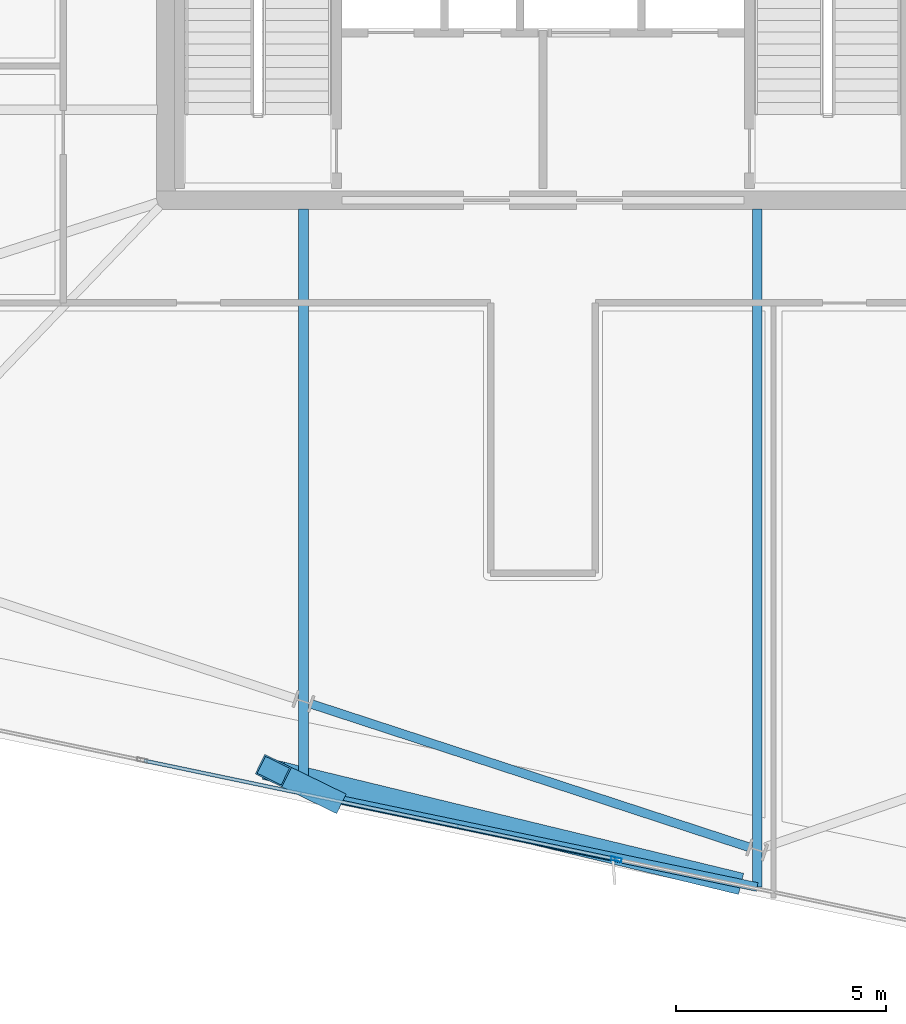
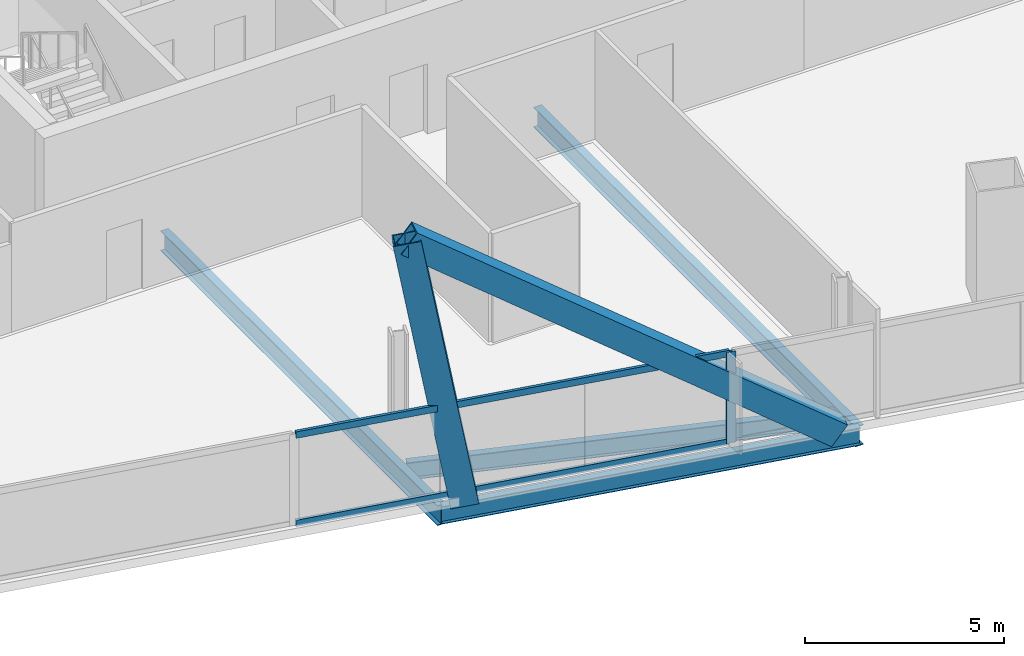
# One storey, part 3 of 24: 5 members, 4 beams, 1 element without a shape of its own.
"""IFC4 building model written with IfcOpenShell, lengths in metres."""

from ifc_helpers import new_model, si_unit, direction, frame, origin, origin_2d, place, context, subcontext, project, spatial, hollow_rectangle, i_section, extrude, material, material_profile, profile_set, type_object, element, aggregate, save


model = new_model("IFC4")

# Units and contexts
model_context = context("Model", 3, precision=1e-05, world=origin(), true_north=direction((0.0, 1.0)))
body_context = subcontext(model_context, "Body", "Model", "MODEL_VIEW")
ifc_project = project(units=[si_unit("LENGTHUNIT", "METRE"), si_unit("AREAUNIT", "SQUARE_METRE"), si_unit("VOLUMEUNIT", "CUBIC_METRE"), si_unit("PLANEANGLEUNIT", "RADIAN"), si_unit("MASSUNIT", "GRAM", prefix="KILO")], contexts=[model_context])

# Site, building, storey
site_placement = place(None, origin())
site = spatial("IfcSite", under=ifc_project, at=site_placement, CompositionType="ELEMENT")
building_placement = place(site_placement, origin())
building = spatial("IfcBuilding", under=site, at=building_placement, Name="Haldenkirk Collegiate Tower", CompositionType="ELEMENT")
storey_placement = place(building_placement, frame((0.0, 0.0, 289.949951171875)))
storey = spatial("IfcBuildingStorey", under=building, at=storey_placement, Name="L73", CompositionType="ELEMENT", Elevation=289.949951171875)

# Beams
ifc_material_1 = material(Name="Steel ASTM A992 Grade 50", Category="steel")
ifc_material_profile_1 = material_profile(ifc_material_1, i_section(OverallWidth=0.22998046875, OverallDepth=0.616943359375, WebThickness=0.01318359375, FlangeThickness=0.022216796875, at=origin_2d()), Name="W24X94")
ifc_profile_set_1 = profile_set([ifc_material_profile_1], Name="Steel ASTM A992 Grade 50")
beam_type_1 = type_object("IfcBeamType", Name="BM-GIRDER-W24X94", PredefinedType="BEAM", material=ifc_profile_set_1)
beam_1_placement = place(storey_placement, frame((30.283203125, 3.87158203125, -0.578369140625), z_axis=(0.0, 1.0, 0.0), x_axis=(-1.0, 0.0, 0.0)))
element("IfcBeam", 1, at=beam_1_placement, inside=storey, type_object=beam_type_1, Name="L73 primary floor girder 15", PredefinedType="BEAM", context=body_context, shape_type="SweptSolid", body=[
    extrude(i_section(OverallWidth=0.22998046875, OverallDepth=0.616943359375, WebThickness=0.01318359375, FlangeThickness=0.022216796875, at=origin_2d()), origin(), (0.0, 0.0, 1.0), 13.92333984375),
])
beam_2_placement = place(storey_placement, frame((41.111083984375, 1.609375, -0.578369140625), z_axis=(0.0, 1.0, 0.0), x_axis=(-1.0, 0.0, 0.0)))
element("IfcBeam", 2, at=beam_2_placement, inside=storey, type_object=beam_type_1, Name="L73 primary floor girder 16", PredefinedType="BEAM", context=body_context, shape_type="SweptSolid", body=[
    extrude(i_section(OverallWidth=0.22998046875, OverallDepth=0.616943359375, WebThickness=0.01318359375, FlangeThickness=0.022216796875, at=origin_2d()), origin(), (0.0, 0.0, 1.0), 16.185546875),
])
ifc_material_profile_2 = material_profile(ifc_material_1, i_section(OverallWidth=0.2099609375, OverallDepth=0.537109375, WebThickness=0.010986328125, FlangeThickness=0.017333984375, at=origin_2d()), Name="W21X68")
ifc_profile_set_2 = profile_set([ifc_material_profile_2], Name="Steel ASTM A992 Grade 50")
beam_type_2 = type_object("IfcBeamType", Name="BM-SPANDREL-W21X68", PredefinedType="SPANDREL", material=ifc_profile_set_2)
beam_3_placement = place(storey_placement, frame((30.4755859375, 5.97509765625, -0.538330078125), z_axis=(0.95040429397, -0.311017166733, 0.0), x_axis=(0.311017166733, 0.95040429397, 0.0)))
element("IfcBeam", 3, at=beam_3_placement, inside=storey, type_object=beam_type_2, Name="L73 perimeter spandrel beam 15", PredefinedType="SPANDREL", context=body_context, shape_type="SweptSolid", body=[
    extrude(i_section(OverallWidth=0.2099609375, OverallDepth=0.537109375, WebThickness=0.010986328125, FlangeThickness=0.017333984375, at=origin_2d()), origin(), (0.0, 0.0, 1.0), 10.988037109375),
])
beam_4_placement = place(storey_placement, frame((30.283203125, 3.87158203125, -0.538330078125), z_axis=(0.978864767165, -0.204508600315, 0.0), x_axis=(0.204508600315, 0.978864767165, 0.0)))
element("IfcBeam", 4, at=beam_4_placement, inside=storey, type_object=beam_type_2, Name="L73 outer facade edge beam 4", PredefinedType="SPANDREL", context=body_context, shape_type="SweptSolid", body=[
    extrude(i_section(OverallWidth=0.2099609375, OverallDepth=0.537109375, WebThickness=0.010986328125, FlangeThickness=0.017333984375, at=origin_2d()), origin(), (0.0, 0.0, 1.0), 11.061767578125),
])

# Curtain wall, members
ifc_material_2 = material(Name="Anodised architectural bronze aluminium", Category="aluminium")
curtain_wall_type = type_object("IfcCurtainWallType", Name="CW-SYS1B-CONVEX-HI", PredefinedType="USERDEFINED", material=ifc_material_2)
curtain_wall_placement = place(storey_placement, origin())
curtain_wall = element("IfcCurtainWall", 5, at=curtain_wall_placement, inside=storey, type_object=curtain_wall_type, Name="L73 Upper tower high-wind convex bronze unitised curtain wall", ObjectType="UNITISED CURTAIN WALL", PredefinedType="USERDEFINED")
ifc_material_profile_3 = material_profile(ifc_material_2, hollow_rectangle(XDim=0.0849609375, YDim=0.25, WallThickness=0.0048828125, at=origin_2d()), Name="CW-MUL-1B")
ifc_profile_set_3 = profile_set([ifc_material_profile_3], Name="Anodised architectural bronze aluminium")
member_type_1 = type_object("IfcMemberType", Name="CW-MUL-1B", PredefinedType="MULLION", material=ifc_profile_set_3)
member_1_placement = place(storey_placement, frame((37.7509765625, 2.2705078125, 0.0), z_axis=(0.0, 0.0, 1.0), x_axis=(-0.204498952816, -0.978866782712, 0.0)))
member_1 = element("IfcMember", 6, at=member_1_placement, type_object=member_type_1, Name="CW-1B mullion 2", PredefinedType="MULLION", context=body_context, shape_type="SweptSolid", body=[
    extrude(hollow_rectangle(XDim=0.0849609375, YDim=0.25, WallThickness=0.0048828125, at=origin_2d()), origin(), (0.0, 0.0, 1.0), 2.798095703125),
])
ifc_material_profile_4 = material_profile(ifc_material_2, hollow_rectangle(XDim=0.0849609375, YDim=0.199951171875, WallThickness=0.0048828125, at=origin_2d()), Name="CW-TRN-1B")
ifc_profile_set_4 = profile_set([ifc_material_profile_4], Name="Anodised architectural bronze aluminium")
member_type_2 = type_object("IfcMemberType", Name="CW-TRN-1B", PredefinedType="USERDEFINED", material=ifc_profile_set_4)
member_2_placement = place(storey_placement, frame((37.70947265625, 2.279052734375, 0.04248046875), z_axis=(-0.978864485847, 0.204509946817, 0.0), x_axis=(-0.204509946817, -0.978864485847, 0.0)))
member_2 = element("IfcMember", 7, at=member_2_placement, type_object=member_type_2, Name="CW-1B transom 2.1", ObjectType="TRANSOM", PredefinedType="USERDEFINED", context=body_context, shape_type="SweptSolid", body=[
    extrude(hollow_rectangle(XDim=0.0849609375, YDim=0.199951171875, WallThickness=0.0048828125, at=origin_2d()), origin(), (0.0, 0.0, 1.0), 11.473388671875),
])
member_3_placement = place(storey_placement, frame((37.70947265625, 2.279052734375, 2.755615234375), z_axis=(-0.978864485847, 0.204509946817, 0.0), x_axis=(-0.204509946817, -0.978864485847, 0.0)))
member_3 = element("IfcMember", 8, at=member_3_placement, type_object=member_type_2, Name="CW-1B transom 2.2", ObjectType="TRANSOM", PredefinedType="USERDEFINED", context=body_context, shape_type="SweptSolid", body=[
    extrude(hollow_rectangle(XDim=0.0849609375, YDim=0.199951171875, WallThickness=0.0048828125, at=origin_2d()), origin(), (0.0, 0.0, 1.0), 11.473388671875),
])
aggregate(curtain_wall, [member_1, member_2, member_3])

# Members
ifc_material_3 = material(Name="Steel ASTM A572 Grade 50", Category="steel")
ifc_material_profile_5 = material_profile(ifc_material_3, hollow_rectangle(XDim=0.52001953125, YDim=0.719970703125, WallThickness=0.035888671875, at=origin_2d()), Name="BOX720X520X36")
ifc_profile_set_5 = profile_set([ifc_material_profile_5], Name="Steel ASTM A572 Grade 50")
member_type_3 = type_object("IfcMemberType", Name="MBR-MEGABRACE-BOX720X520X36", PredefinedType="BRACE", material=ifc_profile_set_5)
member_4_placement = place(storey_placement, frame((30.870361328125, 3.748779296875, -0.280029296875), z_axis=(-0.158309440708, 0.077216177006, 0.984365675443), x_axis=(-0.438387215995, -0.898786208646, 0.0)))
element("IfcMember", 9, at=member_4_placement, inside=storey, type_object=member_type_3, Name="Perimeter Mega Brace Z5 L73-L74 WL", PredefinedType="BRACE", context=body_context, shape_type="SweptSolid", body=[
    extrude(hollow_rectangle(XDim=0.52001953125, YDim=0.719970703125, WallThickness=0.035888671875, at=origin_2d()), origin(), (0.0, 0.0, 1.0), 8.2490234375),
])
member_5_placement = place(storey_placement, frame((40.523681640625, 1.732177734375, -0.280029296875), z_axis=(-0.78869419031, 0.190966988672, 0.584374095429), x_axis=(-0.235330452225, -0.971915417233, 0.0)))
element("IfcMember", 10, at=member_5_placement, inside=storey, type_object=member_type_3, Name="Perimeter Mega Brace Z5 L73-L74 WR", PredefinedType="BRACE", context=body_context, shape_type="SweptSolid", body=[
    extrude(hollow_rectangle(XDim=0.52001953125, YDim=0.719970703125, WallThickness=0.035888671875, at=origin_2d()), origin(), (0.0, 0.0, 1.0), 13.8955078125),
])

save(model, "model.ifc")
